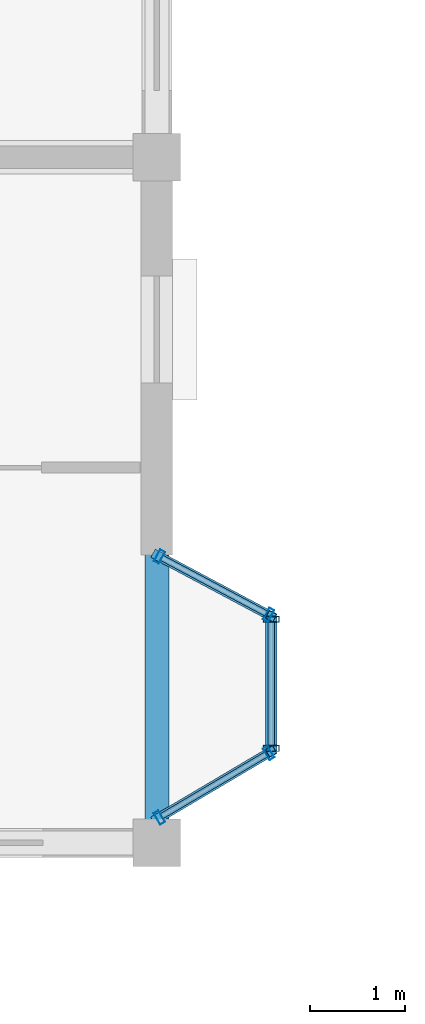
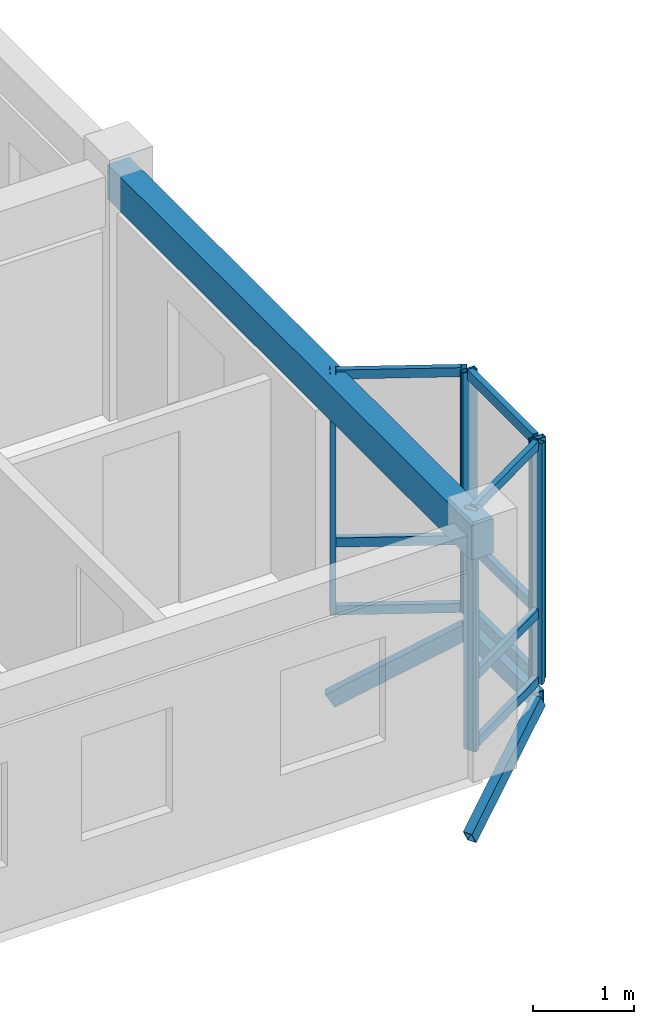
# One storey, part 16 of 70: 18 members, 1 beam, 3 elements without a shape of their own.
"""IFC4 building model written with IfcOpenShell, lengths in metres."""

from ifc_helpers import new_model, si_unit, direction, frame, origin, origin_2d, place, context, subcontext, project, spatial, rectangle, hollow_rectangle, extrude, material, layer, layer_set, material_profile, profile_set, type_object, element, aggregate, save


model = new_model("IFC4")

# Units and contexts
model_context = context("Model", 3, precision=1e-05, world=origin(), true_north=direction((0.0, 1.0)))
body_context = subcontext(model_context, "Body", "Model", "MODEL_VIEW")
ifc_project = project(units=[si_unit("LENGTHUNIT", "METRE"), si_unit("AREAUNIT", "SQUARE_METRE"), si_unit("VOLUMEUNIT", "CUBIC_METRE"), si_unit("PLANEANGLEUNIT", "RADIAN"), si_unit("MASSUNIT", "GRAM", prefix="KILO"), si_unit("THERMODYNAMICTEMPERATUREUNIT", "KELVIN"), si_unit("POWERUNIT", "WATT")], contexts=[model_context])

# Site, building, storey
site_placement = place(None, origin())
site = spatial("IfcSite", under=ifc_project, at=site_placement, CompositionType="ELEMENT")
building_placement = place(site_placement, origin())
building = spatial("IfcBuilding", under=site, at=building_placement, Name="Tavuni Mirador Residences", CompositionType="ELEMENT")
storey_placement = place(building_placement, frame((0.0, 0.0, 23.39990234375)))
storey = spatial("IfcBuildingStorey", under=building, at=storey_placement, Name="L07", CompositionType="ELEMENT", Elevation=23.39990234375)

# Beam
ifc_material_1 = material(Name="Precast concrete C40/50", Category="concrete")
ifc_material_profile_1 = material_profile(ifc_material_1, rectangle(XDim=0.25, YDim=0.419921875, at=origin_2d()), Name="PC 250x420", Category="concrete")
ifc_profile_set_1 = profile_set([ifc_material_profile_1], Name="Precast concrete C40/50")
beam_type = type_object("IfcBeamType", Name="BT-SP420", PredefinedType="SPANDREL", material=ifc_profile_set_1)
beam_placement = place(storey_placement, frame((25.199951171875, 64.800048828125, 2.7001953125), z_axis=(0.0, 1.0, 0.0), x_axis=(-1.0, 0.0, 0.0)))
element("IfcBeam", 1, at=beam_placement, inside=storey, type_object=beam_type, Name="BMY-BLK-B-L07-03-00", PredefinedType="SPANDREL", context=body_context, shape_type="SweptSolid", body=[
    extrude(rectangle(XDim=0.25, YDim=0.419921875, at=origin_2d()), origin(), (0.0, 0.0, 1.0), 7.199951171875),
])

# Curtain wall, members
ifc_material_2 = material(Name="Anodised aluminium", Category="aluminium")
ifc_layer_1 = layer(ifc_material_2, 0.1650390625, Name="Anodised aluminium", Category="aluminium")
ifc_layer_set_1 = layer_set([ifc_layer_1], Name="Anodised aluminium")
curtain_wall_type_1 = type_object("IfcCurtainWallType", Name="CWT-MIR-A", PredefinedType="NOTDEFINED", material=ifc_layer_set_1)
curtain_wall_1_placement = place(storey_placement, origin())
curtain_wall_1 = element("IfcCurtainWall", 2, at=curtain_wall_1_placement, inside=storey, type_object=curtain_wall_type_1, Name="CW-MIR-B-E1-L07-M1", PredefinedType="NOTDEFINED")
ifc_material_profile_2 = material_profile(ifc_material_2, hollow_rectangle(XDim=0.06005859375, YDim=0.139892578125, WallThickness=0.00390625, at=origin_2d()), Name="ALU 60x140x4.0", Category="aluminium")
ifc_profile_set_2 = profile_set([ifc_material_profile_2], Name="Anodised aluminium")
member_type_1 = type_object("IfcMemberType", Name="CWM-140", PredefinedType="MULLION", material=ifc_profile_set_2)
member_1_placement = place(storey_placement, frame((25.225830078125, 65.065185546875, 0.0), z_axis=(0.0, 0.0, 1.0), x_axis=(0.860640830284, 0.509212491254, 0.0)))
member_1 = element("IfcMember", 3, at=member_1_placement, type_object=member_type_1, Name="CW-01 mullion 1", PredefinedType="MULLION", context=body_context, shape_type="SweptSolid", body=[
    extrude(hollow_rectangle(XDim=0.06005859375, YDim=0.139892578125, WallThickness=0.00390625, at=origin_2d()), origin(), (0.0, 0.0, 1.0), 2.91015625),
])
member_2_placement = place(storey_placement, frame((26.374267578125, 65.74462890625, 0.0), z_axis=(0.0, 0.0, 1.0), x_axis=(0.860640830284, 0.509212491254, 0.0)))
member_2 = element("IfcMember", 4, at=member_2_placement, type_object=member_type_1, Name="CW-01 mullion 2", PredefinedType="MULLION", context=body_context, shape_type="SweptSolid", body=[
    extrude(hollow_rectangle(XDim=0.06005859375, YDim=0.139892578125, WallThickness=0.00390625, at=origin_2d()), origin(), (0.0, 0.0, 1.0), 2.91015625),
])

ifc_layer_2 = layer(ifc_material_2, 0.175048828125, Name="Anodised aluminium", Category="aluminium")
ifc_layer_set_2 = layer_set([ifc_layer_2], Name="Anodised aluminium")
curtain_wall_type_2 = type_object("IfcCurtainWallType", Name="CWT-MIR-C", PredefinedType="NOTDEFINED", material=ifc_layer_set_2)
curtain_wall_2_placement = place(storey_placement, origin())
curtain_wall_2 = element("IfcCurtainWall", 5, at=curtain_wall_2_placement, inside=storey, type_object=curtain_wall_type_2, Name="CW-MIR-B-E1-L07-M2", PredefinedType="NOTDEFINED")
member_3_placement = place(storey_placement, frame((26.37353515625, 67.194091796875, 0.0), z_axis=(0.0, 0.0, 1.0), x_axis=(-0.882352941175, 0.470588235296, 0.0)))
member_3 = element("IfcMember", 6, at=member_3_placement, type_object=member_type_1, Name="CW-03 mullion 1", PredefinedType="MULLION", context=body_context, shape_type="SweptSolid", body=[
    extrude(hollow_rectangle(XDim=0.06005859375, YDim=0.139892578125, WallThickness=0.00390625, at=origin_2d()), origin(), (0.0, 0.0, 1.0), 2.91015625),
])
member_4_placement = place(storey_placement, frame((25.2265625, 67.805908203125, 0.0), z_axis=(0.0, 0.0, 1.0), x_axis=(-0.882352941175, 0.470588235296, 0.0)))
member_4 = element("IfcMember", 7, at=member_4_placement, type_object=member_type_1, Name="CW-03 mullion 2", PredefinedType="MULLION", context=body_context, shape_type="SweptSolid", body=[
    extrude(hollow_rectangle(XDim=0.06005859375, YDim=0.139892578125, WallThickness=0.00390625, at=origin_2d()), origin(), (0.0, 0.0, 1.0), 2.91015625),
])

ifc_layer_3 = layer(ifc_material_2, 0.14990234375, Name="Anodised aluminium", Category="aluminium")
ifc_layer_set_3 = layer_set([ifc_layer_3], Name="Anodised aluminium")
curtain_wall_type_3 = type_object("IfcCurtainWallType", Name="CWT-MIR-B", PredefinedType="NOTDEFINED", material=ifc_layer_set_3)
curtain_wall_3_placement = place(storey_placement, origin())
curtain_wall_3 = element("IfcCurtainWall", 8, at=curtain_wall_3_placement, inside=storey, type_object=curtain_wall_type_3, Name="CW-MIR-B-E1-L07-MF", PredefinedType="NOTDEFINED")
ifc_material_profile_3 = material_profile(ifc_material_2, hollow_rectangle(XDim=0.06494140625, YDim=0.1650390625, WallThickness=0.00439453125, at=origin_2d()), Name="ALU 65x165x4.5", Category="aluminium")
ifc_profile_set_3 = profile_set([ifc_material_profile_3], Name="Anodised aluminium")
member_type_2 = type_object("IfcMemberType", Name="CWM-165", PredefinedType="MULLION", material=ifc_profile_set_3)
member_5_placement = place(storey_placement, frame((26.39990234375, 65.79248046875, 0.0), z_axis=(0.0, 0.0, 1.0), x_axis=(0.0, 1.0, 0.0)))
member_5 = element("IfcMember", 9, at=member_5_placement, type_object=member_type_2, Name="CW-02 mullion 1", PredefinedType="MULLION", context=body_context, shape_type="SweptSolid", body=[
    extrude(hollow_rectangle(XDim=0.06494140625, YDim=0.1650390625, WallThickness=0.00439453125, at=origin_2d()), origin(), (0.0, 0.0, 1.0), 2.91015625),
])
member_6_placement = place(storey_placement, frame((26.39990234375, 67.1474609375, 0.0), z_axis=(0.0, 0.0, 1.0), x_axis=(0.0, 1.0, 0.0)))
member_6 = element("IfcMember", 10, at=member_6_placement, type_object=member_type_2, Name="CW-02 mullion 2", PredefinedType="MULLION", context=body_context, shape_type="SweptSolid", body=[
    extrude(hollow_rectangle(XDim=0.06494140625, YDim=0.1650390625, WallThickness=0.00439453125, at=origin_2d()), origin(), (0.0, 0.0, 1.0), 2.91015625),
])

# Member
ifc_material_profile_4 = material_profile(ifc_material_2, hollow_rectangle(XDim=0.06005859375, YDim=0.110107421875, WallThickness=0.00390625, at=origin_2d()), Name="ALU 60x110x4.0", Category="aluminium")
ifc_profile_set_4 = profile_set([ifc_material_profile_4], Name="Anodised aluminium")
member_type_3 = type_object("IfcMemberType", Name="CWT-110", PredefinedType="USERDEFINED", material=ifc_profile_set_4)
member_7_placement = place(storey_placement, frame((25.251708984375, 65.08056640625, 0.030029296875), z_axis=(0.860621238039, 0.509245603452, 0.0), x_axis=(-0.509245603452, 0.860621238039, 0.0)))
member_7 = element("IfcMember", 11, at=member_7_placement, type_object=member_type_3, Name="CW-01 transom 1.1", ObjectType="TRANSOM", PredefinedType="USERDEFINED", context=body_context, shape_type="SweptSolid", body=[
    extrude(hollow_rectangle(XDim=0.06005859375, YDim=0.110107421875, WallThickness=0.00390625, at=origin_2d()), origin(), (0.0, 0.0, 1.0), 1.274169921875),
])

member_8_placement = place(storey_placement, frame((25.251708984375, 65.08056640625, 0.85009765625), z_axis=(0.860621238039, 0.509245603452, 0.0), x_axis=(-0.509245603452, 0.860621238039, 0.0)))
member_8 = element("IfcMember", 12, at=member_8_placement, type_object=member_type_3, Name="CW-01 transom 1.2", ObjectType="TRANSOM", PredefinedType="USERDEFINED", context=body_context, shape_type="SweptSolid", body=[
    extrude(hollow_rectangle(XDim=0.06005859375, YDim=0.110107421875, WallThickness=0.00390625, at=origin_2d()), origin(), (0.0, 0.0, 1.0), 1.274169921875),
])

member_9_placement = place(storey_placement, frame((25.251708984375, 65.08056640625, 2.880126953125), z_axis=(0.860621238039, 0.509245603452, 0.0), x_axis=(-0.509245603452, 0.860621238039, 0.0)))
member_9 = element("IfcMember", 13, at=member_9_placement, type_object=member_type_3, Name="CW-01 transom 1.3", ObjectType="TRANSOM", PredefinedType="USERDEFINED", context=body_context, shape_type="SweptSolid", body=[
    extrude(hollow_rectangle(XDim=0.06005859375, YDim=0.110107421875, WallThickness=0.00390625, at=origin_2d()), origin(), (0.0, 0.0, 1.0), 1.274169921875),
])

aggregate(curtain_wall_1, [member_1, member_2, member_7, member_8, member_9])

member_10_placement = place(storey_placement, frame((26.34716796875, 67.208251953125, 0.030029296875), z_axis=(-0.882385637708, 0.470526924168, 0.0), x_axis=(-0.470526924168, -0.882385637708, 0.0)))
member_10 = element("IfcMember", 14, at=member_10_placement, type_object=member_type_3, Name="CW-03 transom 1.1", ObjectType="TRANSOM", PredefinedType="USERDEFINED", context=body_context, shape_type="SweptSolid", body=[
    extrude(hollow_rectangle(XDim=0.06005859375, YDim=0.110107421875, WallThickness=0.00390625, at=origin_2d()), origin(), (0.0, 0.0, 1.0), 1.239990234375),
])

member_11_placement = place(storey_placement, frame((26.34716796875, 67.208251953125, 0.85009765625), z_axis=(-0.882385637708, 0.470526924168, 0.0), x_axis=(-0.470526924168, -0.882385637708, 0.0)))
member_11 = element("IfcMember", 15, at=member_11_placement, type_object=member_type_3, Name="CW-03 transom 1.2", ObjectType="TRANSOM", PredefinedType="USERDEFINED", context=body_context, shape_type="SweptSolid", body=[
    extrude(hollow_rectangle(XDim=0.06005859375, YDim=0.110107421875, WallThickness=0.00390625, at=origin_2d()), origin(), (0.0, 0.0, 1.0), 1.239990234375),
])

member_12_placement = place(storey_placement, frame((26.34716796875, 67.208251953125, 2.880126953125), z_axis=(-0.882385637708, 0.470526924168, 0.0), x_axis=(-0.470526924168, -0.882385637708, 0.0)))
member_12 = element("IfcMember", 16, at=member_12_placement, type_object=member_type_3, Name="CW-03 transom 1.3", ObjectType="TRANSOM", PredefinedType="USERDEFINED", context=body_context, shape_type="SweptSolid", body=[
    extrude(hollow_rectangle(XDim=0.06005859375, YDim=0.110107421875, WallThickness=0.00390625, at=origin_2d()), origin(), (0.0, 0.0, 1.0), 1.239990234375),
])

aggregate(curtain_wall_2, [member_3, member_4, member_10, member_11, member_12])

ifc_material_profile_5 = material_profile(ifc_material_2, hollow_rectangle(XDim=0.06494140625, YDim=0.125, WallThickness=0.00439453125, at=origin_2d()), Name="ALU 65x125x4.5", Category="aluminium")
ifc_profile_set_5 = profile_set([ifc_material_profile_5], Name="Anodised aluminium")
member_type_4 = type_object("IfcMemberType", Name="CWT-125", PredefinedType="USERDEFINED", material=ifc_profile_set_5)
member_13_placement = place(storey_placement, frame((26.39990234375, 65.824951171875, 0.03271484375), z_axis=(0.0, 1.0, 0.0), x_axis=(-1.0, 0.0, 0.0)))
member_13 = element("IfcMember", 17, at=member_13_placement, type_object=member_type_4, Name="CW-02 transom 1.1", ObjectType="TRANSOM", PredefinedType="USERDEFINED", context=body_context, shape_type="SweptSolid", body=[
    extrude(hollow_rectangle(XDim=0.06494140625, YDim=0.125, WallThickness=0.00439453125, at=origin_2d()), origin(), (0.0, 0.0, 1.0), 1.2900390625),
])

member_14_placement = place(storey_placement, frame((26.39990234375, 65.824951171875, 0.85009765625), z_axis=(0.0, 1.0, 0.0), x_axis=(-1.0, 0.0, 0.0)))
member_14 = element("IfcMember", 18, at=member_14_placement, type_object=member_type_4, Name="CW-02 transom 1.2", ObjectType="TRANSOM", PredefinedType="USERDEFINED", context=body_context, shape_type="SweptSolid", body=[
    extrude(hollow_rectangle(XDim=0.06494140625, YDim=0.125, WallThickness=0.00439453125, at=origin_2d()), origin(), (0.0, 0.0, 1.0), 1.2900390625),
])

member_15_placement = place(storey_placement, frame((26.39990234375, 65.824951171875, 2.877685546875), z_axis=(0.0, 1.0, 0.0), x_axis=(-1.0, 0.0, 0.0)))
member_15 = element("IfcMember", 19, at=member_15_placement, type_object=member_type_4, Name="CW-02 transom 1.3", ObjectType="TRANSOM", PredefinedType="USERDEFINED", context=body_context, shape_type="SweptSolid", body=[
    extrude(hollow_rectangle(XDim=0.06494140625, YDim=0.125, WallThickness=0.00439453125, at=origin_2d()), origin(), (0.0, 0.0, 1.0), 1.2900390625),
])

aggregate(curtain_wall_3, [member_5, member_6, member_13, member_14, member_15])

# Members
ifc_material_3 = material(Name="Structural steel S355", Category="steel")
ifc_material_profile_6 = material_profile(ifc_material_3, hollow_rectangle(XDim=0.10009765625, YDim=0.179931640625, WallThickness=0.008056640625, at=origin_2d()), Name="RHS 180x100x8.0", Category="steel")
ifc_profile_set_6 = profile_set([ifc_material_profile_6], Name="Structural steel S355")
member_type_5 = type_object("IfcMemberType", Name="MT-BR-RHS180", PredefinedType="BRACE", material=ifc_profile_set_6)
member_16_placement = place(storey_placement, frame((25.199951171875, 65.050048828125, -1.0498046875), z_axis=(0.744217227224, 0.440322217043, 0.502251992411), x_axis=(-0.509207087026, 0.860644027762, 0.0)))
element("IfcMember", 20, at=member_16_placement, inside=storey, type_object=member_type_5, Name="MBRK-MIR-B-E1-L07-1", PredefinedType="BRACE", context=body_context, shape_type="SweptSolid", body=[
    extrude(hollow_rectangle(XDim=0.10009765625, YDim=0.179931640625, WallThickness=0.008056640625, at=origin_2d()), origin(), (0.0, 0.0, 1.0), 1.6123046875),
])
member_17_placement = place(storey_placement, frame((25.199951171875, 67.820068359375, -1.0498046875), z_axis=(0.758088787009, -0.404416846295, 0.511613531334), x_axis=(0.470681405175, 0.882303244255, 0.0)))
element("IfcMember", 21, at=member_17_placement, inside=storey, type_object=member_type_5, Name="MBRK-MIR-B-E1-L07-2", PredefinedType="BRACE", context=body_context, shape_type="SweptSolid", body=[
    extrude(hollow_rectangle(XDim=0.10009765625, YDim=0.179931640625, WallThickness=0.008056640625, at=origin_2d()), origin(), (0.0, 0.0, 1.0), 1.582763671875),
])
ifc_material_profile_7 = material_profile(ifc_material_3, hollow_rectangle(XDim=0.1201171875, YDim=0.199951171875, WallThickness=0.010009765625, at=origin_2d()), Name="RHS 200x120x10.0", Category="steel")
ifc_profile_set_7 = profile_set([ifc_material_profile_7], Name="Structural steel S355")
member_type_6 = type_object("IfcMemberType", Name="MT-ST-RHS200", PredefinedType="STRUT", material=ifc_profile_set_7)
member_18_placement = place(storey_placement, frame((26.39990234375, 65.760009765625, -0.239990234375), z_axis=(0.0, 1.0, 0.0), x_axis=(-1.0, 0.0, 0.0)))
element("IfcMember", 22, at=member_18_placement, inside=storey, type_object=member_type_6, Name="MRIM-MIR-B-E1-L07", PredefinedType="STRUT", context=body_context, shape_type="SweptSolid", body=[
    extrude(hollow_rectangle(XDim=0.1201171875, YDim=0.199951171875, WallThickness=0.010009765625, at=origin_2d()), origin(), (0.0, 0.0, 1.0), 1.419921875),
])

save(model, "model.ifc")
